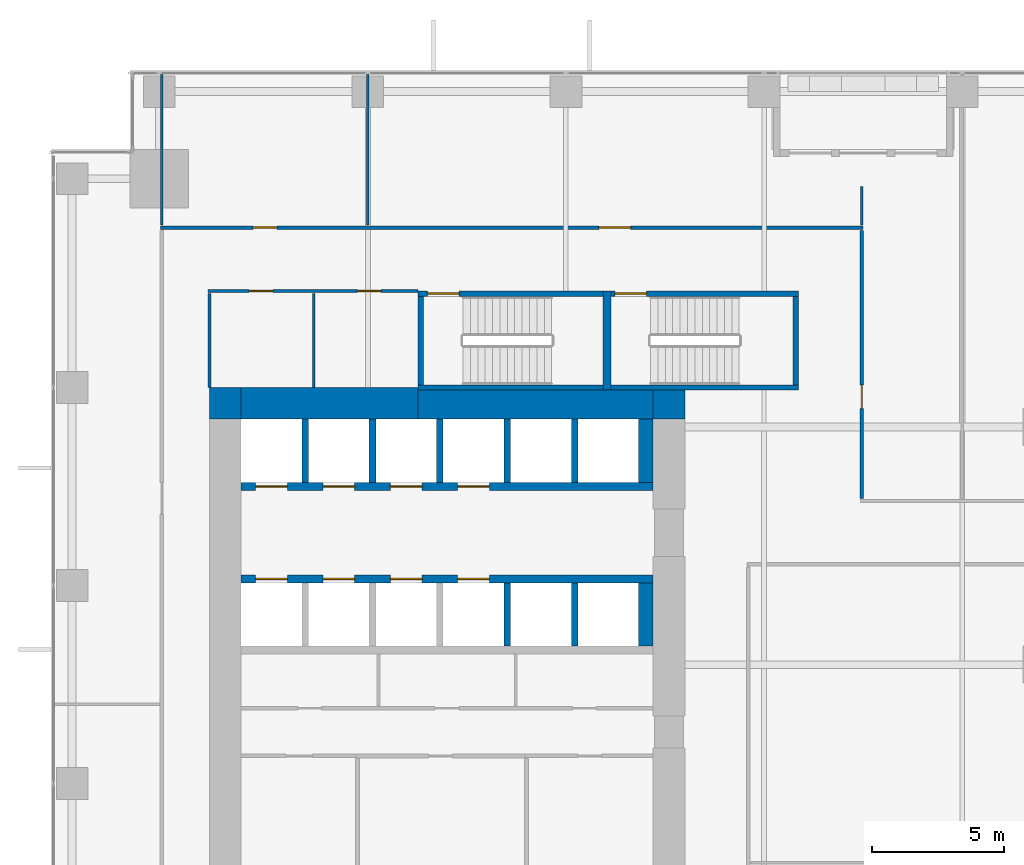
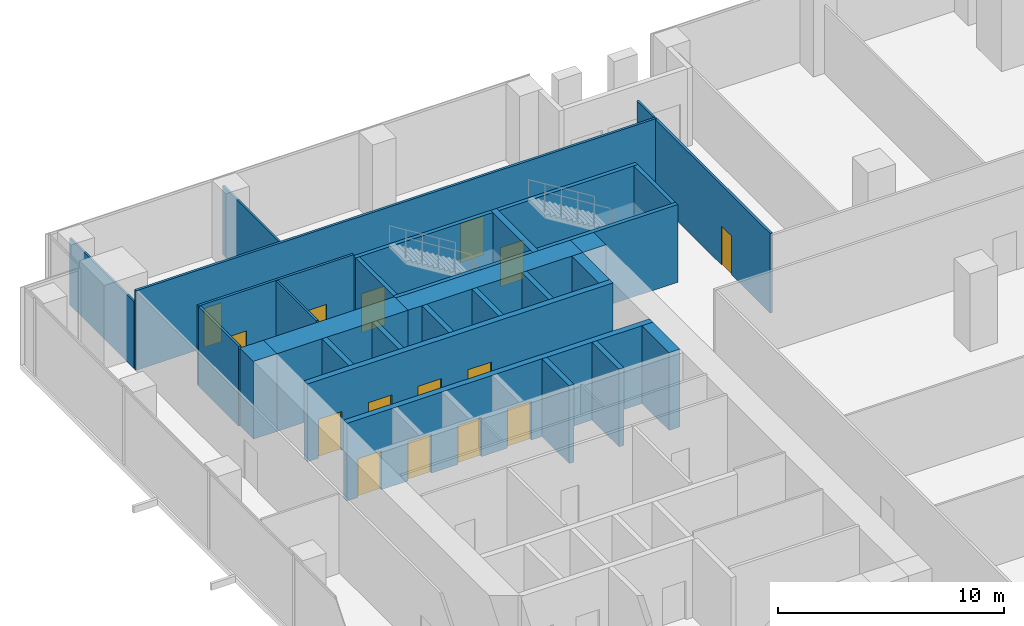
# One storey, part 29 of 33: 30 walls, 15 doors, 15 openings.
"""IFC4 building model written with IfcOpenShell, lengths in metres."""

from ifc_helpers import new_model, si_unit, direction, frame, frame_2d, origin, place, context, subcontext, project, spatial, rectangle, extrude, source, transform, mapped, material, layer, layer_set, type_object, element, fill, save


model = new_model("IFC4")

# Units and contexts
model_context = context("Model", 3, precision=1e-05, world=origin(), true_north=direction((0.0, 1.0)))
body_context = subcontext(model_context, "Body", "Model", "MODEL_VIEW")
ifc_project = project(units=[si_unit("LENGTHUNIT", "METRE"), si_unit("AREAUNIT", "SQUARE_METRE"), si_unit("VOLUMEUNIT", "CUBIC_METRE"), si_unit("PLANEANGLEUNIT", "RADIAN"), si_unit("MASSUNIT", "GRAM", prefix="KILO")], contexts=[model_context])

# Site, building, storey
site_placement = place(None, origin())
site = spatial("IfcSite", under=ifc_project, at=site_placement, CompositionType="ELEMENT")
building_placement = place(site_placement, origin())
building = spatial("IfcBuilding", under=site, at=building_placement, Name="Khomas Fold Tower", CompositionType="ELEMENT")
storey_placement = place(building_placement, frame((0.0, 0.0, 55.5)))
storey = spatial("IfcBuildingStorey", under=building, at=storey_placement, Name="L11", CompositionType="ELEMENT", Elevation=55.5)

# Walls
ifc_material_1 = material(Name="Concrete C70/85", Category="concrete")
ifc_layer_1 = layer(ifc_material_1, 1.199951171875)
ifc_layer_set_1 = layer_set([ifc_layer_1], Name="Concrete C70/85")
wall_type_1 = type_object("IfcWallType", Name="Core wall 1200", PredefinedType="SHEAR", material=ifc_layer_set_1)
shared_shape_1 = source(origin(), body_context, "Body", "SweptSolid", [
    extrude(rectangle(XDim=6.699951171875, YDim=1.199951171875, at=frame_2d((3.35009765625, 0.0))), origin(), (0.0, 0.0, 1.0), 4.199951171875),
])
wall_1_placement = place(storey_placement, frame((7.199951171875, 41.39990234375, 0.0), z_axis=(0.0, 0.0, 1.0), x_axis=(1.0, 0.0, 0.0)))
element("IfcWall", 1, at=wall_1_placement, inside=storey, type_object=wall_type_1, Name="Core wall CW-L-N-B2", PredefinedType="SHEAR", context=body_context, shape_type="MappedRepresentation", body=[
    mapped(shared_shape_1, transform((0.0, 0.0, 0.0))),
])
ifc_material_2 = material(Name="Concrete C70/85", Category="concrete")
ifc_layer_2 = layer(ifc_material_2, 1.10009765625)
ifc_layer_set_2 = layer_set([ifc_layer_2], Name="Concrete C70/85")
wall_type_2 = type_object("IfcWallType", Name="Core wall 1100", PredefinedType="SHEAR", material=ifc_layer_set_2)
shared_shape_2 = source(origin(), body_context, "Body", "SweptSolid", [
    extrude(rectangle(XDim=8.900146484375, YDim=1.10009765625, at=frame_2d((4.4501953125, 0.0))), origin(), (0.0, 0.0, 1.0), 4.199951171875),
])
wall_2_placement = place(storey_placement, frame((13.89990234375, 41.35009765625, 0.0), z_axis=(0.0, 0.0, 1.0), x_axis=(1.0, 0.0, 0.0)))
element("IfcWall", 2, at=wall_2_placement, inside=storey, type_object=wall_type_2, Name="Core wall CW-L-N-B2-1", PredefinedType="SHEAR", context=body_context, shape_type="MappedRepresentation", body=[
    mapped(shared_shape_2, transform((0.0, 0.0, 0.0))),
])
ifc_material_3 = material(Name="Concrete C70/85", Category="concrete")
ifc_layer_3 = layer(ifc_material_3, 1.10009765625)
ifc_layer_set_3 = layer_set([ifc_layer_3], Name="Concrete C70/85")
wall_type_3 = type_object("IfcWallType", Name="Core corner wall 1100", PredefinedType="SHEAR", material=ifc_layer_set_3)
shared_shape_3 = source(origin(), body_context, "Body", "SweptSolid", [
    extrude(rectangle(XDim=1.199951171875, YDim=1.10009765625, at=frame_2d((0.60009765625, 0.0))), origin(), (0.0, 0.0, 1.0), 4.199951171875),
])
wall_3_placement = place(storey_placement, frame((22.800048828125, 41.35009765625, 0.0), z_axis=(0.0, 0.0, 1.0), x_axis=(1.0, 0.0, 0.0)))
element("IfcWall", 3, at=wall_3_placement, inside=storey, type_object=wall_type_3, Name="Core wall CW-L-NE-B2", PredefinedType="SHEAR", context=body_context, shape_type="MappedRepresentation", body=[
    mapped(shared_shape_3, transform((0.0, 0.0, 0.0))),
])
ifc_material_4 = material(Name="Concrete C70/85", Category="concrete")
ifc_layer_4 = layer(ifc_material_4, 1.199951171875)
ifc_layer_set_4 = layer_set([ifc_layer_4], Name="Concrete C70/85")
wall_type_4 = type_object("IfcWallType", Name="Core corner wall 1200", PredefinedType="SHEAR", material=ifc_layer_set_4)
shared_shape_4 = source(origin(), body_context, "Body", "SweptSolid", [
    extrude(rectangle(XDim=1.199951171875, YDim=1.199951171875, at=frame_2d((0.60009765625, 0.0))), origin(), (0.0, 0.0, 1.0), 4.199951171875),
])
wall_4_placement = place(storey_placement, frame((6.0, 41.39990234375, 0.0), z_axis=(0.0, 0.0, 1.0), x_axis=(1.0, 0.0, 0.0)))
element("IfcWall", 4, at=wall_4_placement, inside=storey, type_object=wall_type_4, Name="Core wall CW-L-NW-B2", PredefinedType="SHEAR", context=body_context, shape_type="MappedRepresentation", body=[
    mapped(shared_shape_4, transform((0.0, 0.0, 0.0))),
])

# Wall, opening, door
ifc_material_5 = material(Name="Concrete C50/60", Category="concrete")
ifc_layer_5 = layer(ifc_material_5, 0.199951171875)
ifc_layer_set_5 = layer_set([ifc_layer_5], Name="Concrete C50/60")
wall_type_5 = type_object("IfcWallType", Name="Stair wall 200", PredefinedType="SHEAR", material=ifc_layer_set_5)
shared_shape_5 = source(origin(), body_context, "Body", "SweptSolid", [
    extrude(rectangle(XDim=7.0, YDim=0.199951171875, at=frame_2d((3.5, 0.0))), origin(), (0.0, 0.0, 1.0), 4.199951171875),
])
wall_5_placement = place(storey_placement, frame((13.89990234375, 45.550048828125, 0.0), z_axis=(0.0, 0.0, 1.0), x_axis=(1.0, 0.0, 0.0)))
wall_5 = element("IfcWall", 5, at=wall_5_placement, inside=storey, type_object=wall_type_5, Name="Stair wall SW-ST1-N", PredefinedType="SHEAR", context=body_context, shape_type="MappedRepresentation", body=[
    mapped(shared_shape_5, transform((0.0, 0.0, 0.0))),
])
shared_shape_6 = source(origin(), body_context, "Body", "SweptSolid", [
    extrude(rectangle(XDim=1.199951171875, YDim=2.10009765625, at=frame_2d((0.60009765625, 1.050048828125))), frame((0.0, 0.10986328125, 0.0), z_axis=(0.0, -1.0, 0.0), x_axis=(1.0, 0.0, 0.0)), (0.0, 0.0, 1.0), 0.219970703125),
])
opening_1_placement = place(wall_5_placement, frame((0.35009765625, 0.0, 0.0)))
opening_1 = element("IfcOpeningElement", 6, at=opening_1_placement, cuts=wall_5, Name="Opening SD-ST1", PredefinedType="OPENING", context=body_context, shape_type="MappedRepresentation", body=[
    mapped(shared_shape_6, transform((0.0, 0.0, 0.0))),
])
ifc_material_6 = material(Name="Steel door leaf", Category="steel")
door_type_1 = type_object("IfcDoorType", Name="Stair door 1200x2100 left-hand", OperationType="SINGLE_SWING_LEFT", PredefinedType="DOOR", material=ifc_material_6)
shared_shape_7 = source(origin(), body_context, "Body", "SweptSolid", [
    extrude(rectangle(XDim=1.199951171875, YDim=2.10009765625, at=frame_2d((0.60009765625, 1.050048828125))), frame((0.0, 0.02490234375, 0.0), z_axis=(0.0, -1.0, 0.0), x_axis=(1.0, 0.0, 0.0)), (0.0, 0.0, 1.0), 0.050048828125),
])
door_1_placement = place(opening_1_placement, origin())
door_1 = element("IfcDoor", 7, at=door_1_placement, inside=storey, type_object=door_type_1, Name="Stair door", OperationType="SINGLE_SWING_LEFT", OverallHeight=2.10009765625, OverallWidth=1.199951171875, PredefinedType="DOOR", context=body_context, shape_type="MappedRepresentation", body=[
    mapped(shared_shape_7, transform((0.0, 0.0, 0.0))),
])
fill(opening_1, door_1)

# Wall
wall_6_placement = place(storey_placement, frame((13.89990234375, 42.0, 0.0), z_axis=(0.0, 0.0, 1.0), x_axis=(1.0, 0.0, 0.0)))
element("IfcWall", 8, at=wall_6_placement, inside=storey, type_object=wall_type_5, Name="Stair wall SW-ST1-S", PredefinedType="SHEAR", context=body_context, shape_type="MappedRepresentation", body=[
    mapped(shared_shape_5, transform((0.0, 0.0, 0.0))),
])

# Wall, opening, door
shared_shape_8 = source(origin(), body_context, "Body", "SweptSolid", [
    extrude(rectangle(XDim=7.10009765625, YDim=0.199951171875, at=frame_2d((3.550048828125, 0.0))), origin(), (0.0, 0.0, 1.0), 4.199951171875),
])
wall_7_placement = place(storey_placement, frame((21.199951171875, 45.550048828125, 0.0), z_axis=(0.0, 0.0, 1.0), x_axis=(1.0, 0.0, 0.0)))
wall_7 = element("IfcWall", 9, at=wall_7_placement, inside=storey, type_object=wall_type_5, Name="Stair wall SW-ST3-N", PredefinedType="SHEAR", context=body_context, shape_type="MappedRepresentation", body=[
    mapped(shared_shape_8, transform((0.0, 0.0, 0.0))),
])
opening_2_placement = place(wall_7_placement, frame((0.14990234375, 0.0, 0.0)))
opening_2 = element("IfcOpeningElement", 10, at=opening_2_placement, cuts=wall_7, Name="Opening SD-ST3", PredefinedType="OPENING", context=body_context, shape_type="MappedRepresentation", body=[
    mapped(shared_shape_6, transform((0.0, 0.0, 0.0))),
])
door_2_placement = place(opening_2_placement, origin())
door_2 = element("IfcDoor", 11, at=door_2_placement, inside=storey, type_object=door_type_1, Name="Stair door", OperationType="SINGLE_SWING_LEFT", OverallHeight=2.10009765625, OverallWidth=1.199951171875, PredefinedType="DOOR", context=body_context, shape_type="MappedRepresentation", body=[
    mapped(shared_shape_7, transform((0.0, 0.0, 0.0))),
])
fill(opening_2, door_2)

# Walls
wall_8_placement = place(storey_placement, frame((21.199951171875, 42.0, 0.0), z_axis=(0.0, 0.0, 1.0), x_axis=(1.0, 0.0, 0.0)))
element("IfcWall", 12, at=wall_8_placement, inside=storey, type_object=wall_type_5, Name="Stair wall SW-ST3-S", PredefinedType="SHEAR", context=body_context, shape_type="MappedRepresentation", body=[
    mapped(shared_shape_8, transform((0.0, 0.0, 0.0))),
])
ifc_material_7 = material(Name="Concrete C50/60", Category="concrete")
ifc_layer_6 = layer(ifc_material_7, 0.300048828125)
ifc_layer_set_6 = layer_set([ifc_layer_6], Name="Concrete C50/60")
wall_type_6 = type_object("IfcWallType", Name="Stair wall 300", PredefinedType="SHEAR", material=ifc_layer_set_6)
shared_shape_9 = source(origin(), body_context, "Body", "SweptSolid", [
    extrude(rectangle(XDim=3.75, YDim=0.300048828125, at=frame_2d((1.875, 0.0))), origin(), (0.0, 0.0, 1.0), 4.199951171875),
])
wall_9_placement = place(storey_placement, frame((21.050048828125, 41.89990234375, 0.0), z_axis=(0.0, 0.0, 1.0), x_axis=(0.0, 1.0, 0.0)))
element("IfcWall", 13, at=wall_9_placement, inside=storey, type_object=wall_type_6, Name="Stair wall SW-ST1-E", PredefinedType="SHEAR", context=body_context, shape_type="MappedRepresentation", body=[
    mapped(shared_shape_9, transform((0.0, 0.0, 0.0))),
])
shared_shape_10 = source(origin(), body_context, "Body", "SweptSolid", [
    extrude(rectangle(XDim=3.349853515625, YDim=0.199951171875, at=frame_2d((1.6748046875, 0.0))), origin(), (0.0, 0.0, 1.0), 4.199951171875),
])
for number, where, z_axis, x_axis, name in (
    (14, (14.0, 42.10009765625, 0.0), (0.0, 0.0, 1.0), (0.0, 1.0, 0.0), "Stair wall SW-ST1-W"),
    (15, (28.199951171875, 42.10009765625, 0.0), (0.0, 0.0, 1.0), (0.0, 1.0, 0.0), "Stair wall SW-ST3-E"),
):
    element("IfcWall", number, at=place(storey_placement, frame(where, z_axis=z_axis, x_axis=x_axis)), inside=storey, type_object=wall_type_5, Name=name, PredefinedType="SHEAR", context=body_context, shape_type="MappedRepresentation", body=[
        mapped(shared_shape_10, transform((0.0, 0.0, 0.0))),
    ])

# Wall, openings, doors
ifc_material_8 = material(Name="Concrete C50/60", Category="concrete")
ifc_layer_7 = layer(ifc_material_8, 0.300048828125)
ifc_layer_set_7 = layer_set([ifc_layer_7], Name="Concrete C50/60")
wall_type_7 = type_object("IfcWallType", Name="Shaft wall 300", PredefinedType="STANDARD", material=ifc_layer_set_7)
shared_shape_11 = source(origin(), body_context, "Body", "SweptSolid", [
    extrude(rectangle(XDim=15.60009765625, YDim=0.300048828125, at=frame_2d((7.800048828125, 0.0))), origin(), (0.0, 0.0, 1.0), 4.199951171875),
])
wall_10_placement = place(storey_placement, frame((7.199951171875, 38.25, 0.0), z_axis=(0.0, 0.0, 1.0), x_axis=(1.0, 0.0, 0.0)))
wall_10 = element("IfcWall", 16, at=wall_10_placement, inside=storey, type_object=wall_type_7, Name="Core wall SW-LRN-F", PredefinedType="STANDARD", context=body_context, shape_type="MappedRepresentation", body=[
    mapped(shared_shape_11, transform((0.0, 0.0, 0.0))),
])
shared_shape_12 = source(origin(), body_context, "Body", "SweptSolid", [
    extrude(rectangle(XDim=1.199951171875, YDim=2.10009765625, at=frame_2d((0.60009765625, 1.050048828125))), frame((0.0, 0.159912109375, 0.0), z_axis=(0.0, -1.0, 0.0), x_axis=(1.0, 0.0, 0.0)), (0.0, 0.0, 1.0), 0.320068359375),
])
opening_3_placement = place(wall_10_placement, frame((0.550048828125, 0.0, 0.0)))
opening_3 = element("IfcOpeningElement", 17, at=opening_3_placement, cuts=wall_10, Name="Opening LD-LR5", PredefinedType="OPENING", context=body_context, shape_type="MappedRepresentation", body=[
    mapped(shared_shape_12, transform((0.0, 0.0, 0.0))),
])
opening_4_placement = place(wall_10_placement, frame((3.10009765625, 0.0, 0.0)))
opening_4 = element("IfcOpeningElement", 18, at=opening_4_placement, cuts=wall_10, Name="Opening LD-LR6", PredefinedType="OPENING", context=body_context, shape_type="MappedRepresentation", body=[
    mapped(shared_shape_12, transform((0.0, 0.0, 0.0))),
])
opening_5_placement = place(wall_10_placement, frame((5.64990234375, 0.0, 0.0)))
opening_5 = element("IfcOpeningElement", 19, at=opening_5_placement, cuts=wall_10, Name="Opening LD-LR7", PredefinedType="OPENING", context=body_context, shape_type="MappedRepresentation", body=[
    mapped(shared_shape_12, transform((0.0, 0.0, 0.0))),
])
opening_6_placement = place(wall_10_placement, frame((8.199951171875, 0.0, 0.0)))
opening_6 = element("IfcOpeningElement", 20, at=opening_6_placement, cuts=wall_10, Name="Opening LD-LR8", PredefinedType="OPENING", context=body_context, shape_type="MappedRepresentation", body=[
    mapped(shared_shape_12, transform((0.0, 0.0, 0.0))),
])
ifc_material_9 = material(Name="Steel door leaf", Category="steel")
door_type_2 = type_object("IfcDoorType", Name="Landing door 1200x2100", OperationType="DOUBLE_DOOR_SLIDING", PredefinedType="DOOR", material=ifc_material_9)
door_3_placement = place(opening_3_placement, origin())
door_3 = element("IfcDoor", 21, at=door_3_placement, inside=storey, type_object=door_type_2, Name="Lift landing door", OperationType="DOUBLE_DOOR_SLIDING", OverallHeight=2.10009765625, OverallWidth=1.199951171875, PredefinedType="DOOR", context=body_context, shape_type="MappedRepresentation", body=[
    mapped(shared_shape_7, transform((0.0, 0.0, 0.0))),
])
fill(opening_3, door_3)
door_4_placement = place(opening_4_placement, origin())
door_4 = element("IfcDoor", 22, at=door_4_placement, inside=storey, type_object=door_type_2, Name="Lift landing door", OperationType="DOUBLE_DOOR_SLIDING", OverallHeight=2.10009765625, OverallWidth=1.199951171875, PredefinedType="DOOR", context=body_context, shape_type="MappedRepresentation", body=[
    mapped(shared_shape_7, transform((0.0, 0.0, 0.0))),
])
fill(opening_4, door_4)
door_5_placement = place(opening_5_placement, origin())
door_5 = element("IfcDoor", 23, at=door_5_placement, inside=storey, type_object=door_type_2, Name="Lift landing door", OperationType="DOUBLE_DOOR_SLIDING", OverallHeight=2.10009765625, OverallWidth=1.199951171875, PredefinedType="DOOR", context=body_context, shape_type="MappedRepresentation", body=[
    mapped(shared_shape_7, transform((0.0, 0.0, 0.0))),
])
fill(opening_5, door_5)
door_6_placement = place(opening_6_placement, origin())
door_6 = element("IfcDoor", 24, at=door_6_placement, inside=storey, type_object=door_type_2, Name="Lift landing door", OperationType="DOUBLE_DOOR_SLIDING", OverallHeight=2.10009765625, OverallWidth=1.199951171875, PredefinedType="DOOR", context=body_context, shape_type="MappedRepresentation", body=[
    mapped(shared_shape_7, transform((0.0, 0.0, 0.0))),
])
fill(opening_6, door_6)

wall_11_placement = place(storey_placement, frame((7.199951171875, 34.75, 0.0), z_axis=(0.0, 0.0, 1.0), x_axis=(1.0, 0.0, 0.0)))
wall_11 = element("IfcWall", 25, at=wall_11_placement, inside=storey, type_object=wall_type_7, Name="Core wall SW-LRS-F", PredefinedType="STANDARD", context=body_context, shape_type="MappedRepresentation", body=[
    mapped(shared_shape_11, transform((0.0, 0.0, 0.0))),
])
opening_7_placement = place(wall_11_placement, frame((0.550048828125, 0.0, 0.0)))
opening_7 = element("IfcOpeningElement", 26, at=opening_7_placement, cuts=wall_11, Name="Opening LD-LR1", PredefinedType="OPENING", context=body_context, shape_type="MappedRepresentation", body=[
    mapped(shared_shape_12, transform((0.0, 0.0, 0.0))),
])
opening_8_placement = place(wall_11_placement, frame((3.10009765625, 0.0, 0.0)))
opening_8 = element("IfcOpeningElement", 27, at=opening_8_placement, cuts=wall_11, Name="Opening LD-LR2", PredefinedType="OPENING", context=body_context, shape_type="MappedRepresentation", body=[
    mapped(shared_shape_12, transform((0.0, 0.0, 0.0))),
])
opening_9_placement = place(wall_11_placement, frame((5.64990234375, 0.0, 0.0)))
opening_9 = element("IfcOpeningElement", 28, at=opening_9_placement, cuts=wall_11, Name="Opening LD-LR3", PredefinedType="OPENING", context=body_context, shape_type="MappedRepresentation", body=[
    mapped(shared_shape_12, transform((0.0, 0.0, 0.0))),
])
opening_10_placement = place(wall_11_placement, frame((8.199951171875, 0.0, 0.0)))
opening_10 = element("IfcOpeningElement", 29, at=opening_10_placement, cuts=wall_11, Name="Opening LD-LR4", PredefinedType="OPENING", context=body_context, shape_type="MappedRepresentation", body=[
    mapped(shared_shape_12, transform((0.0, 0.0, 0.0))),
])
door_7_placement = place(opening_7_placement, origin())
door_7 = element("IfcDoor", 30, at=door_7_placement, inside=storey, type_object=door_type_2, Name="Lift landing door", OperationType="DOUBLE_DOOR_SLIDING", OverallHeight=2.10009765625, OverallWidth=1.199951171875, PredefinedType="DOOR", context=body_context, shape_type="MappedRepresentation", body=[
    mapped(shared_shape_7, transform((0.0, 0.0, 0.0))),
])
fill(opening_7, door_7)
door_8_placement = place(opening_8_placement, origin())
door_8 = element("IfcDoor", 31, at=door_8_placement, inside=storey, type_object=door_type_2, Name="Lift landing door", OperationType="DOUBLE_DOOR_SLIDING", OverallHeight=2.10009765625, OverallWidth=1.199951171875, PredefinedType="DOOR", context=body_context, shape_type="MappedRepresentation", body=[
    mapped(shared_shape_7, transform((0.0, 0.0, 0.0))),
])
fill(opening_8, door_8)
door_9_placement = place(opening_9_placement, origin())
door_9 = element("IfcDoor", 32, at=door_9_placement, inside=storey, type_object=door_type_2, Name="Lift landing door", OperationType="DOUBLE_DOOR_SLIDING", OverallHeight=2.10009765625, OverallWidth=1.199951171875, PredefinedType="DOOR", context=body_context, shape_type="MappedRepresentation", body=[
    mapped(shared_shape_7, transform((0.0, 0.0, 0.0))),
])
fill(opening_9, door_9)
door_10_placement = place(opening_10_placement, origin())
door_10 = element("IfcDoor", 33, at=door_10_placement, inside=storey, type_object=door_type_2, Name="Lift landing door", OperationType="DOUBLE_DOOR_SLIDING", OverallHeight=2.10009765625, OverallWidth=1.199951171875, PredefinedType="DOOR", context=body_context, shape_type="MappedRepresentation", body=[
    mapped(shared_shape_7, transform((0.0, 0.0, 0.0))),
])
fill(opening_10, door_10)

# Walls
ifc_material_10 = material(Name="Concrete C50/60", Category="concrete")
ifc_layer_8 = layer(ifc_material_10, 0.25)
ifc_layer_set_8 = layer_set([ifc_layer_8], Name="Concrete C50/60")
wall_type_8 = type_object("IfcWallType", Name="Shaft wall 250", PredefinedType="STANDARD", material=ifc_layer_set_8)
shared_shape_13 = source(origin(), body_context, "Body", "SweptSolid", [
    extrude(rectangle(XDim=2.400146484375, YDim=0.25, at=frame_2d((1.2001953125, 0.0))), origin(), (0.0, 0.0, 1.0), 4.199951171875),
])
for number, where, z_axis, x_axis, name in (
    (34, (9.625, 38.39990234375, 0.0), (0.0, 0.0, 1.0), (0.0, 1.0, 0.0), "Core wall SW-LRN-P1"),
    (35, (12.175048828125, 38.39990234375, 0.0), (0.0, 0.0, 1.0), (0.0, 1.0, 0.0), "Core wall SW-LRN-P2"),
    (36, (14.72509765625, 38.39990234375, 0.0), (0.0, 0.0, 1.0), (0.0, 1.0, 0.0), "Core wall SW-LRN-P3"),
    (37, (17.27490234375, 38.39990234375, 0.0), (0.0, 0.0, 1.0), (0.0, 1.0, 0.0), "Core wall SW-LRN-P4"),
    (38, (19.824951171875, 38.39990234375, 0.0), (0.0, 0.0, 1.0), (0.0, 1.0, 0.0), "Core wall SW-LRN-P5"),
    (39, (17.27490234375, 32.199951171875, 0.0), (0.0, 0.0, 1.0), (0.0, 1.0, 0.0), "Core wall SW-LRS-P4"),
    (40, (19.824951171875, 32.199951171875, 0.0), (0.0, 0.0, 1.0), (0.0, 1.0, 0.0), "Core wall SW-LRS-P5"),
):
    element("IfcWall", number, at=place(storey_placement, frame(where, z_axis=z_axis, x_axis=x_axis)), inside=storey, type_object=wall_type_8, Name=name, PredefinedType="STANDARD", context=body_context, shape_type="MappedRepresentation", body=[
        mapped(shared_shape_13, transform((0.0, 0.0, 0.0))),
    ])
ifc_material_11 = material(Name="Concrete C50/60", Category="concrete")
ifc_layer_9 = layer(ifc_material_11, 0.550048828125)
ifc_layer_set_9 = layer_set([ifc_layer_9], Name="Concrete C50/60")
wall_type_9 = type_object("IfcWallType", Name="Shaft wall 550", PredefinedType="STANDARD", material=ifc_layer_set_9)
shared_shape_14 = source(origin(), body_context, "Body", "SweptSolid", [
    extrude(rectangle(XDim=2.400146484375, YDim=0.550048828125, at=frame_2d((1.2001953125, 0.0))), origin(), (0.0, 0.0, 1.0), 4.199951171875),
])
for number, where, z_axis, x_axis, name in (
    (41, (22.52490234375, 38.39990234375, 0.0), (0.0, 0.0, 1.0), (0.0, 1.0, 0.0), "Core wall SW-LRN-PE"),
    (42, (22.52490234375, 32.199951171875, 0.0), (0.0, 0.0, 1.0), (0.0, 1.0, 0.0), "Core wall SW-LRS-PE"),
):
    element("IfcWall", number, at=place(storey_placement, frame(where, z_axis=z_axis, x_axis=x_axis)), inside=storey, type_object=wall_type_9, Name=name, PredefinedType="STANDARD", context=body_context, shape_type="MappedRepresentation", body=[
        mapped(shared_shape_14, transform((0.0, 0.0, 0.0))),
    ])
ifc_material_12 = material(Name="Plasterboard partition")
ifc_layer_10 = layer(ifc_material_12, 0.10009765625)
ifc_layer_set_10 = layer_set([ifc_layer_10], Name="Plasterboard partition")
wall_type_10 = type_object("IfcWallType", Name="Partition PW1 100", PredefinedType="PARTITIONING", material=ifc_layer_set_10)
shared_shape_15 = source(origin(), body_context, "Body", "SweptSolid", [
    extrude(rectangle(XDim=3.550048828125, YDim=0.10009765625, at=frame_2d((1.77490234375, 0.0))), origin(), (0.0, 0.0, 1.0), 4.300048828125),
])
wall_12_placement = place(storey_placement, frame((9.949951171875, 42.0, 0.0), z_axis=(0.0, 0.0, 1.0), x_axis=(0.0, 1.0, 0.0)))
element("IfcWall", 43, at=wall_12_placement, inside=storey, type_object=wall_type_10, Name="Partition", PredefinedType="PARTITIONING", context=body_context, shape_type="MappedRepresentation", body=[
    mapped(shared_shape_15, transform((0.0, 0.0, 0.0))),
])

# Wall, opening, door
ifc_material_13 = material(Name="Plasterboard partition")
ifc_layer_11 = layer(ifc_material_13, 0.125)
ifc_layer_set_11 = layer_set([ifc_layer_11], Name="Plasterboard partition")
wall_type_11 = type_object("IfcWallType", Name="Partition PW2 125", PredefinedType="PARTITIONING", material=ifc_layer_set_11)
shared_shape_16 = source(origin(), body_context, "Body", "SweptSolid", [
    extrude(rectangle(XDim=10.14990234375, YDim=0.125, at=frame_2d((5.074951171875, 0.0))), origin(), (0.0, 0.0, 1.0), 4.300048828125),
])
wall_13_placement = place(storey_placement, frame((30.699951171875, 37.800048828125, 0.0), z_axis=(0.0, 0.0, 1.0), x_axis=(0.0, 1.0, 0.0)))
wall_13 = element("IfcWall", 44, at=wall_13_placement, inside=storey, type_object=wall_type_11, Name="Partition", PredefinedType="PARTITIONING", context=body_context, shape_type="MappedRepresentation", body=[
    mapped(shared_shape_16, transform((0.0, 0.0, 0.0))),
])
shared_shape_17 = source(origin(), body_context, "Body", "SweptSolid", [
    extrude(rectangle(XDim=0.89990234375, YDim=2.10009765625, at=frame_2d((0.449951171875, 1.050048828125))), frame((0.0, 0.072509765625, 0.0), z_axis=(0.0, -1.0, 0.0), x_axis=(1.0, 0.0, 0.0)), (0.0, 0.0, 1.0), 0.14501953125),
])
opening_11_placement = place(wall_13_placement, frame((3.39990234375, 0.0, 0.0)))
opening_11 = element("IfcOpeningElement", 45, at=opening_11_placement, cuts=wall_13, Name="Opening 0007", PredefinedType="OPENING", context=body_context, shape_type="MappedRepresentation", body=[
    mapped(shared_shape_17, transform((0.0, 0.0, 0.0))),
])
ifc_material_14 = material(Name="Timber door leaf", Category="wood")
door_type_3 = type_object("IfcDoorType", Name="Door 900x2100 left-hand", OperationType="SINGLE_SWING_LEFT", PredefinedType="DOOR", material=ifc_material_14)
shared_shape_18 = source(origin(), body_context, "Body", "SweptSolid", [
    extrude(rectangle(XDim=0.89990234375, YDim=2.10009765625, at=frame_2d((0.449951171875, 1.050048828125))), frame((0.0, 0.02490234375, 0.0), z_axis=(0.0, -1.0, 0.0), x_axis=(1.0, 0.0, 0.0)), (0.0, 0.0, 1.0), 0.050048828125),
])
door_11_placement = place(opening_11_placement, origin())
door_11 = element("IfcDoor", 46, at=door_11_placement, inside=storey, type_object=door_type_3, Name="Door", OperationType="SINGLE_SWING_LEFT", OverallHeight=2.10009765625, OverallWidth=0.89990234375, PredefinedType="DOOR", context=body_context, shape_type="MappedRepresentation", body=[
    mapped(shared_shape_18, transform((0.0, 0.0, 0.0))),
])
fill(opening_11, door_11)

# Wall
shared_shape_19 = source(origin(), body_context, "Body", "SweptSolid", [
    extrude(rectangle(XDim=3.550048828125, YDim=0.125, at=frame_2d((1.77490234375, 0.0))), origin(), (0.0, 0.0, 1.0), 4.300048828125),
])
wall_14_placement = place(storey_placement, frame((6.0, 42.0, 0.0), z_axis=(0.0, 0.0, 1.0), x_axis=(0.0, 1.0, 0.0)))
element("IfcWall", 47, at=wall_14_placement, inside=storey, type_object=wall_type_11, Name="Partition", PredefinedType="PARTITIONING", context=body_context, shape_type="MappedRepresentation", body=[
    mapped(shared_shape_19, transform((0.0, 0.0, 0.0))),
])

# Wall, openings, doors
shared_shape_20 = source(origin(), body_context, "Body", "SweptSolid", [
    extrude(rectangle(XDim=7.949951171875, YDim=0.125, at=frame_2d((3.97509765625, 0.0))), origin(), (0.0, 0.0, 1.0), 4.300048828125),
])
wall_15_placement = place(storey_placement, frame((5.949951171875, 45.64990234375, 0.0), z_axis=(0.0, 0.0, 1.0), x_axis=(1.0, 0.0, 0.0)))
wall_15 = element("IfcWall", 48, at=wall_15_placement, inside=storey, type_object=wall_type_11, Name="Partition", PredefinedType="PARTITIONING", context=body_context, shape_type="MappedRepresentation", body=[
    mapped(shared_shape_20, transform((0.0, 0.0, 0.0))),
])
opening_12_placement = place(wall_15_placement, frame((1.550048828125, 0.0, 0.0)))
opening_12 = element("IfcOpeningElement", 49, at=opening_12_placement, cuts=wall_15, Name="Opening 0007", PredefinedType="OPENING", context=body_context, shape_type="MappedRepresentation", body=[
    mapped(shared_shape_17, transform((0.0, 0.0, 0.0))),
])
opening_13_placement = place(wall_15_placement, frame((5.64990234375, 0.0, 0.0)))
opening_13 = element("IfcOpeningElement", 50, at=opening_13_placement, cuts=wall_15, Name="Opening 0008", PredefinedType="OPENING", context=body_context, shape_type="MappedRepresentation", body=[
    mapped(shared_shape_17, transform((0.0, 0.0, 0.0))),
])
door_12_placement = place(opening_12_placement, origin())
door_12 = element("IfcDoor", 51, at=door_12_placement, inside=storey, type_object=door_type_3, Name="Door", OperationType="SINGLE_SWING_LEFT", OverallHeight=2.10009765625, OverallWidth=0.89990234375, PredefinedType="DOOR", context=body_context, shape_type="MappedRepresentation", body=[
    mapped(shared_shape_18, transform((0.0, 0.0, 0.0))),
])
fill(opening_12, door_12)
ifc_material_15 = material(Name="Timber door leaf", Category="wood")
door_type_4 = type_object("IfcDoorType", Name="Door 900x2100 right-hand", OperationType="SINGLE_SWING_RIGHT", PredefinedType="DOOR", material=ifc_material_15)
door_13_placement = place(opening_13_placement, origin())
door_13 = element("IfcDoor", 52, at=door_13_placement, inside=storey, type_object=door_type_4, Name="Door", OperationType="SINGLE_SWING_RIGHT", OverallHeight=2.10009765625, OverallWidth=0.89990234375, PredefinedType="DOOR", context=body_context, shape_type="MappedRepresentation", body=[
    mapped(shared_shape_18, transform((0.0, 0.0, 0.0))),
])
fill(opening_13, door_13)

# Wall
shared_shape_21 = source(origin(), body_context, "Body", "SweptSolid", [
    extrude(rectangle(XDim=5.7001953125, YDim=0.10009765625, at=frame_2d((2.85009765625, 0.0))), origin(), (0.0, 0.0, 1.0), 3.699951171875),
])
wall_16_placement = place(storey_placement, frame((12.0, 48.14990234375, 0.0), z_axis=(0.0, 0.0, 1.0), x_axis=(0.0, 1.0, 0.0)))
element("IfcWall", 53, at=wall_16_placement, inside=storey, type_object=wall_type_10, Name="Partition", PredefinedType="PARTITIONING", context=body_context, shape_type="MappedRepresentation", body=[
    mapped(shared_shape_21, transform((0.0, 0.0, 0.0))),
])

# Wall, openings, doors
shared_shape_22 = source(origin(), body_context, "Body", "SweptSolid", [
    extrude(rectangle(XDim=26.60009765625, YDim=0.125, at=frame_2d((13.300048828125, 0.0))), origin(), (0.0, 0.0, 1.0), 4.300048828125),
])
wall_17_placement = place(storey_placement, frame((4.14990234375, 48.050048828125, 0.0), z_axis=(0.0, 0.0, 1.0), x_axis=(1.0, 0.0, 0.0)))
wall_17 = element("IfcWall", 54, at=wall_17_placement, inside=storey, type_object=wall_type_11, Name="Partition", PredefinedType="PARTITIONING", context=body_context, shape_type="MappedRepresentation", body=[
    mapped(shared_shape_22, transform((0.0, 0.0, 0.0))),
])
opening_14_placement = place(wall_17_placement, frame((3.5, 0.0, 0.0)))
opening_14 = element("IfcOpeningElement", 55, at=opening_14_placement, cuts=wall_17, Name="Opening 0008", PredefinedType="OPENING", context=body_context, shape_type="MappedRepresentation", body=[
    mapped(shared_shape_17, transform((0.0, 0.0, 0.0))),
])
shared_shape_23 = source(origin(), body_context, "Body", "SweptSolid", [
    extrude(rectangle(XDim=1.199951171875, YDim=2.10009765625, at=frame_2d((0.60009765625, 1.050048828125))), frame((0.0, 0.072509765625, 0.0), z_axis=(0.0, -1.0, 0.0), x_axis=(1.0, 0.0, 0.0)), (0.0, 0.0, 1.0), 0.14501953125),
])
opening_15_placement = place(wall_17_placement, frame((16.60009765625, 0.0, 0.0)))
opening_15 = element("IfcOpeningElement", 56, at=opening_15_placement, cuts=wall_17, Name="Opening 0013", PredefinedType="OPENING", context=body_context, shape_type="MappedRepresentation", body=[
    mapped(shared_shape_23, transform((0.0, 0.0, 0.0))),
])
door_14_placement = place(opening_14_placement, origin())
door_14 = element("IfcDoor", 57, at=door_14_placement, inside=storey, type_object=door_type_4, Name="Door", OperationType="SINGLE_SWING_RIGHT", OverallHeight=2.10009765625, OverallWidth=0.89990234375, PredefinedType="DOOR", context=body_context, shape_type="MappedRepresentation", body=[
    mapped(shared_shape_18, transform((0.0, 0.0, 0.0))),
])
fill(opening_14, door_14)
ifc_material_16 = material(Name="Timber door leaf", Category="wood")
door_type_5 = type_object("IfcDoorType", Name="Door 1200x2100 left-hand", OperationType="SINGLE_SWING_LEFT", PredefinedType="DOOR", material=ifc_material_16)
door_15_placement = place(opening_15_placement, origin())
door_15 = element("IfcDoor", 58, at=door_15_placement, inside=storey, type_object=door_type_5, Name="Door", OperationType="SINGLE_SWING_LEFT", OverallHeight=2.10009765625, OverallWidth=1.199951171875, PredefinedType="DOOR", context=body_context, shape_type="MappedRepresentation", body=[
    mapped(shared_shape_7, transform((0.0, 0.0, 0.0))),
])
fill(opening_15, door_15)

# Walls
shared_shape_24 = source(origin(), body_context, "Body", "SweptSolid", [
    extrude(rectangle(XDim=5.7001953125, YDim=0.10009765625, at=frame_2d((2.85009765625, 0.0))), origin(), (0.0, 0.0, 1.0), 3.60009765625),
])
wall_18_placement = place(storey_placement, frame((4.199951171875, 48.14990234375, 0.0), z_axis=(0.0, 0.0, 1.0), x_axis=(0.0, 1.0, 0.0)))
element("IfcWall", 59, at=wall_18_placement, inside=storey, type_object=wall_type_10, Name="Partition", PredefinedType="PARTITIONING", context=body_context, shape_type="MappedRepresentation", body=[
    mapped(shared_shape_24, transform((0.0, 0.0, 0.0))),
])
shared_shape_25 = source(origin(), body_context, "Body", "SweptSolid", [
    extrude(rectangle(XDim=1.4501953125, YDim=0.10009765625, at=frame_2d((0.72509765625, 0.0))), origin(), (0.0, 0.0, 1.0), 4.300048828125),
])
wall_19_placement = place(storey_placement, frame((30.699951171875, 48.14990234375, 0.0), z_axis=(0.0, 0.0, 1.0), x_axis=(0.0, 1.0, 0.0)))
element("IfcWall", 60, at=wall_19_placement, inside=storey, type_object=wall_type_10, Name="Partition", PredefinedType="PARTITIONING", context=body_context, shape_type="MappedRepresentation", body=[
    mapped(shared_shape_25, transform((0.0, 0.0, 0.0))),
])

save(model, "model.ifc")
